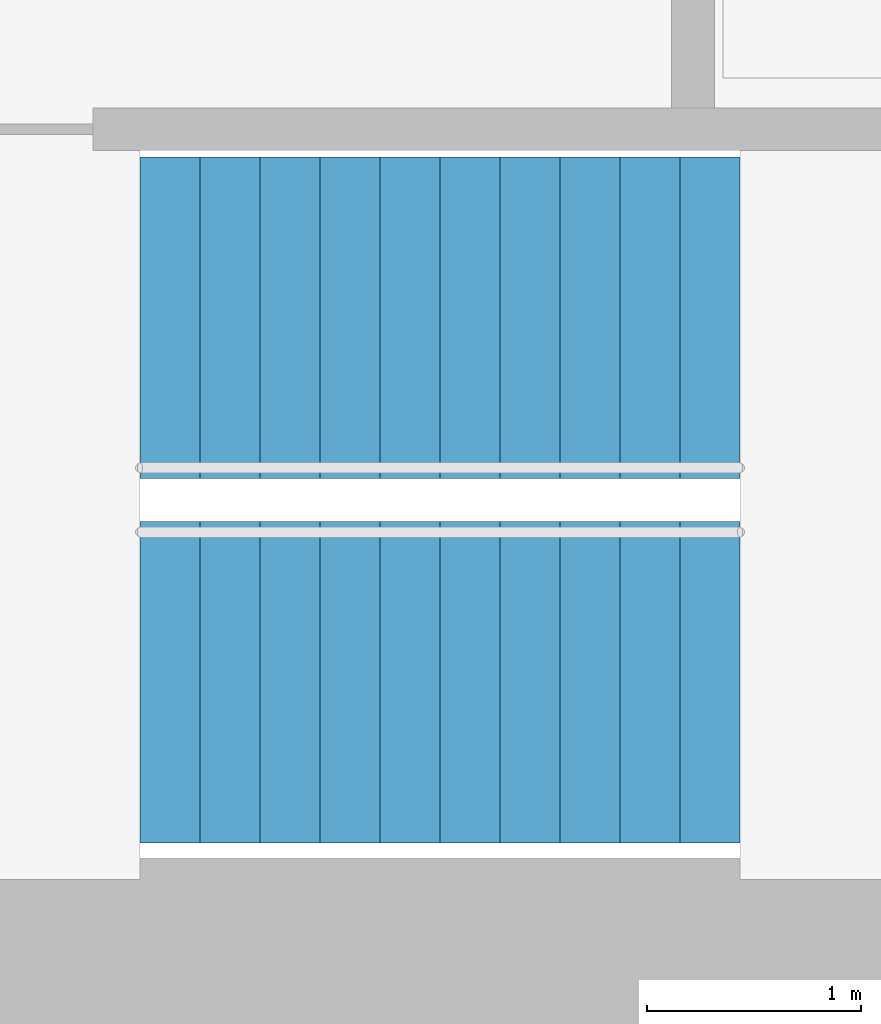
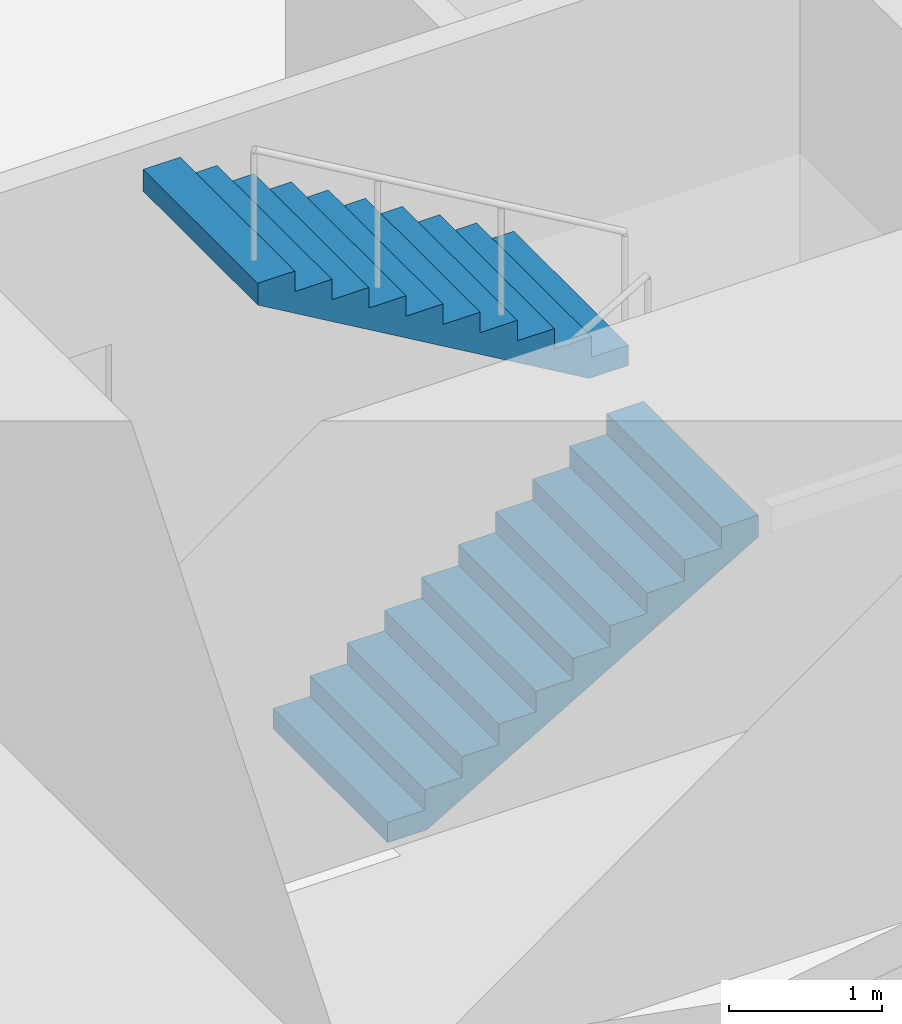
# One storey, part 13 of 15: 2 stair flights, 1 element without a shape of its own.
"""IFC4 building model written with IfcOpenShell, lengths in metres."""

from ifc_helpers import new_model, si_unit, direction, frame, origin, place, context, subcontext, project, spatial, triangles, material, type_object, element, aggregate, save


model = new_model("IFC4")

# Units and contexts
model_context = context("Model", 3, precision=1e-05, world=origin(), true_north=direction((0.0, 1.0)))
body_context = subcontext(model_context, "Body", "Model", "MODEL_VIEW")
ifc_project = project(units=[si_unit("LENGTHUNIT", "METRE"), si_unit("AREAUNIT", "SQUARE_METRE"), si_unit("VOLUMEUNIT", "CUBIC_METRE"), si_unit("PLANEANGLEUNIT", "RADIAN"), si_unit("MASSUNIT", "GRAM", prefix="KILO")], contexts=[model_context])

# Site, building, storey
site_placement = place(None, origin())
site = spatial("IfcSite", under=ifc_project, at=site_placement, CompositionType="ELEMENT")
building_placement = place(site_placement, origin())
building = spatial("IfcBuilding", under=site, at=building_placement, Name="Lantaw Convention Tower", CompositionType="ELEMENT")
storey_placement = place(building_placement, frame((0.0, 0.0, 51.39990234375)))
storey = spatial("IfcBuildingStorey", under=building, at=storey_placement, Name="L10", CompositionType="ELEMENT", Elevation=51.39990234375)

# Stair, stair flights
ifc_material = material(Name="Concrete C35/45", Category="concrete")
stair_type = type_object("IfcStairType", Name="Exit stair 1500 riser 163.64 in 2 flights", PredefinedType="HALF_TURN_STAIR", material=ifc_material)
stair_placement = place(storey_placement, origin())
stair = element("IfcStair", 1, at=stair_placement, inside=storey, type_object=stair_type, Name="Exit stair S1 L10", PredefinedType="HALF_TURN_STAIR")
stair_flight_type = type_object("IfcStairFlightType", Name="Stair flight 1500 riser 163.64", PredefinedType="STRAIGHT", material=ifc_material)
stair_flight_1_placement = place(storey_placement, frame((-10.580078125, -5.97998046875, 0.0), z_axis=(0.0, 0.0, 1.0), x_axis=(1.0, 0.0, 0.0)))
stair_flight_1 = element("IfcStairFlight", 2, at=stair_flight_1_placement, type_object=stair_flight_type, Name="S1 flight 1", NumberOfRisers=11, NumberOfTreads=10, PredefinedType="STRAIGHT", RiserHeight=0.163636364, TreadLength=0.28, context=body_context, shape_type="Tessellation", body=[
    triangles([(0.0, 0.75, 0.0), (0.0, 0.75, 0.163636364), (0.28, 0.75, 0.0), (0.28, 0.75, 0.163636364), (0.28, 0.75, 0.327272728), (0.2970904571225277, 0.75, 0.0), (0.2970904571225277, 0.75, 0.327272728), (0.56, 0.75, 0.1536484344906131), (0.56, 0.75, 0.327272728), (0.56, 0.75, 0.490909092), (0.8400000000000001, 0.75, 0.3172847984906131), (0.8400000000000001, 0.75, 0.490909092), (0.8400000000000001, 0.75, 0.654545456), (1.12, 0.75, 0.4809211624906131), (1.12, 0.75, 0.654545456), (1.12, 0.75, 0.8181818200000001), (1.4000000000000001, 0.75, 0.6445575264906132), (1.4000000000000001, 0.75, 0.8181818200000001), (1.4000000000000001, 0.75, 0.981818184), (1.6800000000000002, 0.75, 0.8081938904906131), (1.6800000000000002, 0.75, 0.981818184), (1.6800000000000002, 0.75, 1.145454548), (1.9600000000000002, 0.75, 0.9718302544906131), (1.9600000000000002, 0.75, 1.145454548), (1.9600000000000002, 0.75, 1.309090912), (2.24, 0.75, 1.135466618490613), (2.24, 0.75, 1.309090912), (2.24, 0.75, 1.472727276), (2.5200000000000005, 0.75, 1.2991029824906133), (2.5200000000000005, 0.75, 1.472727276), (2.5200000000000005, 0.75, 1.6363636400000001), (2.8000000000000003, 0.75, 1.462739346490613), (2.8000000000000003, 0.75, 1.6363636400000001), (0.0, -0.75, 0.0), (0.0, -0.75, 0.163636364), (0.28, -0.75, 0.0), (0.28, -0.75, 0.163636364), (0.28, -0.75, 0.327272728), (0.2970904571225277, -0.75, 0.0), (0.2970904571225277, -0.75, 0.327272728), (0.56, -0.75, 0.1536484344906131), (0.56, -0.75, 0.327272728), (0.56, -0.75, 0.490909092), (0.8400000000000001, -0.75, 0.3172847984906131), (0.8400000000000001, -0.75, 0.490909092), (0.8400000000000001, -0.75, 0.654545456), (1.12, -0.75, 0.4809211624906131), (1.12, -0.75, 0.654545456), (1.12, -0.75, 0.8181818200000001), (1.4000000000000001, -0.75, 0.6445575264906132), (1.4000000000000001, -0.75, 0.8181818200000001), (1.4000000000000001, -0.75, 0.981818184), (1.6800000000000002, -0.75, 0.8081938904906131), (1.6800000000000002, -0.75, 0.981818184), (1.6800000000000002, -0.75, 1.145454548), (1.9600000000000002, -0.75, 0.9718302544906131), (1.9600000000000002, -0.75, 1.145454548), (1.9600000000000002, -0.75, 1.309090912), (2.24, -0.75, 1.135466618490613), (2.24, -0.75, 1.309090912), (2.24, -0.75, 1.472727276), (2.5200000000000005, -0.75, 1.2991029824906133), (2.5200000000000005, -0.75, 1.472727276), (2.5200000000000005, -0.75, 1.6363636400000001), (2.8000000000000003, -0.75, 1.462739346490613), (2.8000000000000003, -0.75, 1.6363636400000001), (0.0, 0.15000000000000002, 0.163636364), (0.0, 0.15000000000000002, 0.0), (0.0, 0.0, 0.163636364), (0.0, 0.0, 0.0), (0.0, -0.15000000000000002, 0.163636364), (0.0, -0.15000000000000002, 0.0), (0.28, 0.15000000000000002, 0.327272728), (0.28, 0.15000000000000002, 0.163636364), (0.28, 0.0, 0.327272728), (0.28, 0.0, 0.163636364), (0.28, -0.15000000000000002, 0.327272728), (0.28, -0.15000000000000002, 0.163636364), (0.56, 0.15000000000000002, 0.490909092), (0.56, 0.15000000000000002, 0.327272728), (0.56, 0.0, 0.490909092), (0.56, 0.0, 0.327272728), (0.56, -0.15000000000000002, 0.490909092), (0.56, -0.15000000000000002, 0.327272728), (0.8400000000000001, 0.15000000000000002, 0.654545456), (0.8400000000000001, 0.15000000000000002, 0.490909092), (0.8400000000000001, 0.0, 0.654545456), (0.8400000000000001, 0.0, 0.490909092), (0.8400000000000001, -0.15000000000000002, 0.654545456), (0.8400000000000001, -0.15000000000000002, 0.490909092), (1.12, 0.15000000000000002, 0.8181818200000001), (1.12, 0.15000000000000002, 0.654545456), (1.12, 0.0, 0.8181818200000001), (1.12, 0.0, 0.654545456), (1.12, -0.15000000000000002, 0.8181818200000001), (1.12, -0.15000000000000002, 0.654545456), (1.4000000000000001, 0.15000000000000002, 0.981818184), (1.4000000000000001, 0.15000000000000002, 0.8181818200000001), (1.4000000000000001, 0.0, 0.981818184), (1.4000000000000001, 0.0, 0.8181818200000001), (1.4000000000000001, -0.15000000000000002, 0.981818184), (1.4000000000000001, -0.15000000000000002, 0.8181818200000001), (1.6800000000000002, 0.15000000000000002, 1.145454548), (1.6800000000000002, 0.15000000000000002, 0.981818184), (1.6800000000000002, 0.0, 1.145454548), (1.6800000000000002, 0.0, 0.981818184), (1.6800000000000002, -0.15000000000000002, 1.145454548), (1.6800000000000002, -0.15000000000000002, 0.981818184), (1.9600000000000002, 0.15000000000000002, 1.309090912), (1.9600000000000002, 0.15000000000000002, 1.145454548), (1.9600000000000002, 0.0, 1.309090912), (1.9600000000000002, 0.0, 1.145454548), (1.9600000000000002, -0.15000000000000002, 1.309090912), (1.9600000000000002, -0.15000000000000002, 1.145454548), (2.24, 0.15000000000000002, 1.472727276), (2.24, 0.15000000000000002, 1.309090912), (2.24, 0.0, 1.472727276), (2.24, 0.0, 1.309090912), (2.24, -0.15000000000000002, 1.472727276), (2.24, -0.15000000000000002, 1.309090912), (2.5200000000000005, 0.15000000000000002, 1.6363636400000001), (2.5200000000000005, 0.15000000000000002, 1.472727276), (2.5200000000000005, 0.0, 1.6363636400000001), (2.5200000000000005, 0.0, 1.472727276), (2.5200000000000005, -0.15000000000000002, 1.6363636400000001), (2.5200000000000005, -0.15000000000000002, 1.472727276), (0.2970904571225277, 0.15000000000000002, 0.327272728), (0.2970904571225277, 0.0, 0.327272728), (0.2970904571225277, -0.15000000000000002, 0.327272728), (2.8000000000000003, 0.15000000000000002, 1.6363636400000001), (2.8000000000000003, 0.0, 1.6363636400000001), (2.8000000000000003, -0.15000000000000002, 1.6363636400000001), (2.8000000000000003, 0.15000000000000002, 1.462739346490613), (2.8000000000000003, 0.0, 1.462739346490613), (2.8000000000000003, -0.15000000000000002, 1.462739346490613), (2.5200000000000005, 0.15000000000000002, 1.2991029824906133), (2.5200000000000005, 0.0, 1.2991029824906133), (2.5200000000000005, -0.15000000000000002, 1.2991029824906133), (2.24, 0.15000000000000002, 1.135466618490613), (2.24, 0.0, 1.135466618490613), (2.24, -0.15000000000000002, 1.135466618490613), (1.9600000000000002, 0.15000000000000002, 0.9718302544906131), (1.9600000000000002, 0.0, 0.9718302544906131), (1.9600000000000002, -0.15000000000000002, 0.9718302544906131), (1.6800000000000002, 0.15000000000000002, 0.8081938904906131), (1.6800000000000002, 0.0, 0.8081938904906131), (1.6800000000000002, -0.15000000000000002, 0.8081938904906131), (1.4000000000000001, 0.15000000000000002, 0.6445575264906132), (1.4000000000000001, 0.0, 0.6445575264906132), (1.4000000000000001, -0.15000000000000002, 0.6445575264906132), (1.12, 0.15000000000000002, 0.4809211624906131), (1.12, 0.0, 0.4809211624906131), (1.12, -0.15000000000000002, 0.4809211624906131), (0.8400000000000001, 0.15000000000000002, 0.3172847984906131), (0.8400000000000001, 0.0, 0.3172847984906131), (0.8400000000000001, -0.15000000000000002, 0.3172847984906131), (0.56, 0.15000000000000002, 0.1536484344906131), (0.56, 0.0, 0.1536484344906131), (0.56, -0.15000000000000002, 0.1536484344906131), (0.2970904571225277, 0.15000000000000002, 0.0), (0.2970904571225277, 0.0, 0.0), (0.2970904571225277, -0.15000000000000002, 0.0), (0.28, 0.15000000000000002, 0.0), (0.28, 0.0, 0.0), (0.28, -0.15000000000000002, 0.0)], [[1, 4, 3], [1, 2, 4], [3, 4, 6], [4, 7, 6], [4, 5, 7], [6, 9, 8], [6, 7, 9], [8, 9, 11], [9, 12, 11], [9, 10, 12], [11, 12, 14], [12, 15, 14], [12, 13, 15], [14, 15, 17], [15, 18, 17], [15, 16, 18], [17, 18, 20], [18, 21, 20], [18, 19, 21], [20, 21, 23], [21, 24, 23], [21, 22, 24], [23, 24, 26], [24, 27, 26], [24, 25, 27], [26, 27, 29], [27, 30, 29], [27, 28, 30], [29, 30, 32], [30, 33, 32], [30, 31, 33], [34, 36, 37], [34, 37, 35], [36, 39, 37], [37, 39, 40], [37, 40, 38], [39, 41, 42], [39, 42, 40], [41, 44, 42], [42, 44, 45], [42, 45, 43], [44, 47, 45], [45, 47, 48], [45, 48, 46], [47, 50, 48], [48, 50, 51], [48, 51, 49], [50, 53, 51], [51, 53, 54], [51, 54, 52], [53, 56, 54], [54, 56, 57], [54, 57, 55], [56, 59, 57], [57, 59, 60], [57, 60, 58], [59, 62, 60], [60, 62, 63], [60, 63, 61], [62, 65, 63], [63, 65, 66], [63, 66, 64], [1, 67, 2], [1, 68, 67], [68, 69, 67], [68, 70, 69], [70, 71, 69], [70, 72, 71], [72, 35, 71], [72, 34, 35], [4, 73, 5], [4, 74, 73], [74, 75, 73], [74, 76, 75], [76, 77, 75], [76, 78, 77], [78, 38, 77], [78, 37, 38], [9, 79, 10], [9, 80, 79], [80, 81, 79], [80, 82, 81], [82, 83, 81], [82, 84, 83], [84, 43, 83], [84, 42, 43], [12, 85, 13], [12, 86, 85], [86, 87, 85], [86, 88, 87], [88, 89, 87], [88, 90, 89], [90, 46, 89], [90, 45, 46], [15, 91, 16], [15, 92, 91], [92, 93, 91], [92, 94, 93], [94, 95, 93], [94, 96, 95], [96, 49, 95], [96, 48, 49], [18, 97, 19], [18, 98, 97], [98, 99, 97], [98, 100, 99], [100, 101, 99], [100, 102, 101], [102, 52, 101], [102, 51, 52], [21, 103, 22], [21, 104, 103], [104, 105, 103], [104, 106, 105], [106, 107, 105], [106, 108, 107], [108, 55, 107], [108, 54, 55], [24, 109, 25], [24, 110, 109], [110, 111, 109], [110, 112, 111], [112, 113, 111], [112, 114, 113], [114, 58, 113], [114, 57, 58], [27, 115, 28], [27, 116, 115], [116, 117, 115], [116, 118, 117], [118, 119, 117], [118, 120, 119], [120, 61, 119], [120, 60, 61], [30, 121, 31], [30, 122, 121], [122, 123, 121], [122, 124, 123], [124, 125, 123], [124, 126, 125], [126, 64, 125], [126, 63, 64], [2, 74, 4], [2, 67, 74], [67, 76, 74], [67, 69, 76], [69, 78, 76], [69, 71, 78], [71, 37, 78], [71, 35, 37], [5, 127, 7], [5, 73, 127], [73, 128, 127], [73, 75, 128], [75, 129, 128], [75, 77, 129], [77, 40, 129], [77, 38, 40], [7, 80, 9], [7, 127, 80], [127, 82, 80], [127, 128, 82], [128, 84, 82], [128, 129, 84], [129, 42, 84], [129, 40, 42], [10, 86, 12], [10, 79, 86], [79, 88, 86], [79, 81, 88], [81, 90, 88], [81, 83, 90], [83, 45, 90], [83, 43, 45], [13, 92, 15], [13, 85, 92], [85, 94, 92], [85, 87, 94], [87, 96, 94], [87, 89, 96], [89, 48, 96], [89, 46, 48], [16, 98, 18], [16, 91, 98], [91, 100, 98], [91, 93, 100], [93, 102, 100], [93, 95, 102], [95, 51, 102], [95, 49, 51], [19, 104, 21], [19, 97, 104], [97, 106, 104], [97, 99, 106], [99, 108, 106], [99, 101, 108], [101, 54, 108], [101, 52, 54], [22, 110, 24], [22, 103, 110], [103, 112, 110], [103, 105, 112], [105, 114, 112], [105, 107, 114], [107, 57, 114], [107, 55, 57], [25, 116, 27], [25, 109, 116], [109, 118, 116], [109, 111, 118], [111, 120, 118], [111, 113, 120], [113, 60, 120], [113, 58, 60], [28, 122, 30], [28, 115, 122], [115, 124, 122], [115, 117, 124], [117, 126, 124], [117, 119, 126], [119, 63, 126], [119, 61, 63], [31, 130, 33], [31, 121, 130], [121, 131, 130], [121, 123, 131], [123, 132, 131], [123, 125, 132], [125, 66, 132], [125, 64, 66], [33, 133, 32], [33, 130, 133], [130, 134, 133], [130, 131, 134], [131, 135, 134], [131, 132, 135], [132, 65, 135], [132, 66, 65], [32, 136, 29], [32, 133, 136], [133, 137, 136], [133, 134, 137], [134, 138, 137], [134, 135, 138], [135, 62, 138], [135, 65, 62], [29, 139, 26], [29, 136, 139], [136, 140, 139], [136, 137, 140], [137, 141, 140], [137, 138, 141], [138, 59, 141], [138, 62, 59], [26, 142, 23], [26, 139, 142], [139, 143, 142], [139, 140, 143], [140, 144, 143], [140, 141, 144], [141, 56, 144], [141, 59, 56], [23, 145, 20], [23, 142, 145], [142, 146, 145], [142, 143, 146], [143, 147, 146], [143, 144, 147], [144, 53, 147], [144, 56, 53], [20, 148, 17], [20, 145, 148], [145, 149, 148], [145, 146, 149], [146, 150, 149], [146, 147, 150], [147, 50, 150], [147, 53, 50], [17, 151, 14], [17, 148, 151], [148, 152, 151], [148, 149, 152], [149, 153, 152], [149, 150, 153], [150, 47, 153], [150, 50, 47], [14, 154, 11], [14, 151, 154], [151, 155, 154], [151, 152, 155], [152, 156, 155], [152, 153, 156], [153, 44, 156], [153, 47, 44], [11, 157, 8], [11, 154, 157], [154, 158, 157], [154, 155, 158], [155, 159, 158], [155, 156, 159], [156, 41, 159], [156, 44, 41], [8, 160, 6], [8, 157, 160], [157, 161, 160], [157, 158, 161], [158, 162, 161], [158, 159, 162], [159, 39, 162], [159, 41, 39], [6, 163, 3], [6, 160, 163], [160, 164, 163], [160, 161, 164], [161, 165, 164], [161, 162, 165], [162, 36, 165], [162, 39, 36], [3, 68, 1], [3, 163, 68], [163, 70, 68], [163, 164, 70], [164, 72, 70], [164, 165, 72], [165, 34, 72], [165, 36, 34]], closed=True),
])
stair_flight_2_placement = place(storey_placement, frame((-7.780029296875, -4.280029296875, 1.800048828125), z_axis=(0.0, 0.0, 1.0), x_axis=(-1.0, 0.0, 0.0)))
stair_flight_2 = element("IfcStairFlight", 3, at=stair_flight_2_placement, type_object=stair_flight_type, Name="S1 flight 2", NumberOfRisers=11, NumberOfTreads=10, PredefinedType="STRAIGHT", RiserHeight=0.163636364, TreadLength=0.28, context=body_context, shape_type="Tessellation", body=[
    triangles([(0.0, 0.75, 0.0), (0.0, 0.75, 0.163636364), (0.28, 0.75, 0.0), (0.28, 0.75, 0.163636364), (0.28, 0.75, 0.327272728), (0.2970904571225277, 0.75, 0.0), (0.2970904571225277, 0.75, 0.327272728), (0.56, 0.75, 0.1536484344906131), (0.56, 0.75, 0.327272728), (0.56, 0.75, 0.490909092), (0.8400000000000001, 0.75, 0.3172847984906131), (0.8400000000000001, 0.75, 0.490909092), (0.8400000000000001, 0.75, 0.654545456), (1.12, 0.75, 0.4809211624906131), (1.12, 0.75, 0.654545456), (1.12, 0.75, 0.8181818200000001), (1.4000000000000001, 0.75, 0.6445575264906132), (1.4000000000000001, 0.75, 0.8181818200000001), (1.4000000000000001, 0.75, 0.981818184), (1.6800000000000002, 0.75, 0.8081938904906131), (1.6800000000000002, 0.75, 0.981818184), (1.6800000000000002, 0.75, 1.145454548), (1.9600000000000002, 0.75, 0.9718302544906131), (1.9600000000000002, 0.75, 1.145454548), (1.9600000000000002, 0.75, 1.309090912), (2.24, 0.75, 1.135466618490613), (2.24, 0.75, 1.309090912), (2.24, 0.75, 1.472727276), (2.5200000000000005, 0.75, 1.2991029824906133), (2.5200000000000005, 0.75, 1.472727276), (2.5200000000000005, 0.75, 1.6363636400000001), (2.8000000000000003, 0.75, 1.462739346490613), (2.8000000000000003, 0.75, 1.6363636400000001), (0.0, -0.75, 0.0), (0.0, -0.75, 0.163636364), (0.28, -0.75, 0.0), (0.28, -0.75, 0.163636364), (0.28, -0.75, 0.327272728), (0.2970904571225277, -0.75, 0.0), (0.2970904571225277, -0.75, 0.327272728), (0.56, -0.75, 0.1536484344906131), (0.56, -0.75, 0.327272728), (0.56, -0.75, 0.490909092), (0.8400000000000001, -0.75, 0.3172847984906131), (0.8400000000000001, -0.75, 0.490909092), (0.8400000000000001, -0.75, 0.654545456), (1.12, -0.75, 0.4809211624906131), (1.12, -0.75, 0.654545456), (1.12, -0.75, 0.8181818200000001), (1.4000000000000001, -0.75, 0.6445575264906132), (1.4000000000000001, -0.75, 0.8181818200000001), (1.4000000000000001, -0.75, 0.981818184), (1.6800000000000002, -0.75, 0.8081938904906131), (1.6800000000000002, -0.75, 0.981818184), (1.6800000000000002, -0.75, 1.145454548), (1.9600000000000002, -0.75, 0.9718302544906131), (1.9600000000000002, -0.75, 1.145454548), (1.9600000000000002, -0.75, 1.309090912), (2.24, -0.75, 1.135466618490613), (2.24, -0.75, 1.309090912), (2.24, -0.75, 1.472727276), (2.5200000000000005, -0.75, 1.2991029824906133), (2.5200000000000005, -0.75, 1.472727276), (2.5200000000000005, -0.75, 1.6363636400000001), (2.8000000000000003, -0.75, 1.462739346490613), (2.8000000000000003, -0.75, 1.6363636400000001), (0.0, 0.15000000000000002, 0.163636364), (0.0, 0.15000000000000002, 0.0), (0.0, 0.0, 0.163636364), (0.0, 0.0, 0.0), (0.0, -0.15000000000000002, 0.163636364), (0.0, -0.15000000000000002, 0.0), (0.28, 0.15000000000000002, 0.327272728), (0.28, 0.15000000000000002, 0.163636364), (0.28, 0.0, 0.327272728), (0.28, 0.0, 0.163636364), (0.28, -0.15000000000000002, 0.327272728), (0.28, -0.15000000000000002, 0.163636364), (0.56, 0.15000000000000002, 0.490909092), (0.56, 0.15000000000000002, 0.327272728), (0.56, 0.0, 0.490909092), (0.56, 0.0, 0.327272728), (0.56, -0.15000000000000002, 0.490909092), (0.56, -0.15000000000000002, 0.327272728), (0.8400000000000001, 0.15000000000000002, 0.654545456), (0.8400000000000001, 0.15000000000000002, 0.490909092), (0.8400000000000001, 0.0, 0.654545456), (0.8400000000000001, 0.0, 0.490909092), (0.8400000000000001, -0.15000000000000002, 0.654545456), (0.8400000000000001, -0.15000000000000002, 0.490909092), (1.12, 0.15000000000000002, 0.8181818200000001), (1.12, 0.15000000000000002, 0.654545456), (1.12, 0.0, 0.8181818200000001), (1.12, 0.0, 0.654545456), (1.12, -0.15000000000000002, 0.8181818200000001), (1.12, -0.15000000000000002, 0.654545456), (1.4000000000000001, 0.15000000000000002, 0.981818184), (1.4000000000000001, 0.15000000000000002, 0.8181818200000001), (1.4000000000000001, 0.0, 0.981818184), (1.4000000000000001, 0.0, 0.8181818200000001), (1.4000000000000001, -0.15000000000000002, 0.981818184), (1.4000000000000001, -0.15000000000000002, 0.8181818200000001), (1.6800000000000002, 0.15000000000000002, 1.145454548), (1.6800000000000002, 0.15000000000000002, 0.981818184), (1.6800000000000002, 0.0, 1.145454548), (1.6800000000000002, 0.0, 0.981818184), (1.6800000000000002, -0.15000000000000002, 1.145454548), (1.6800000000000002, -0.15000000000000002, 0.981818184), (1.9600000000000002, 0.15000000000000002, 1.309090912), (1.9600000000000002, 0.15000000000000002, 1.145454548), (1.9600000000000002, 0.0, 1.309090912), (1.9600000000000002, 0.0, 1.145454548), (1.9600000000000002, -0.15000000000000002, 1.309090912), (1.9600000000000002, -0.15000000000000002, 1.145454548), (2.24, 0.15000000000000002, 1.472727276), (2.24, 0.15000000000000002, 1.309090912), (2.24, 0.0, 1.472727276), (2.24, 0.0, 1.309090912), (2.24, -0.15000000000000002, 1.472727276), (2.24, -0.15000000000000002, 1.309090912), (2.5200000000000005, 0.15000000000000002, 1.6363636400000001), (2.5200000000000005, 0.15000000000000002, 1.472727276), (2.5200000000000005, 0.0, 1.6363636400000001), (2.5200000000000005, 0.0, 1.472727276), (2.5200000000000005, -0.15000000000000002, 1.6363636400000001), (2.5200000000000005, -0.15000000000000002, 1.472727276), (0.2970904571225277, 0.15000000000000002, 0.327272728), (0.2970904571225277, 0.0, 0.327272728), (0.2970904571225277, -0.15000000000000002, 0.327272728), (2.8000000000000003, 0.15000000000000002, 1.6363636400000001), (2.8000000000000003, 0.0, 1.6363636400000001), (2.8000000000000003, -0.15000000000000002, 1.6363636400000001), (2.8000000000000003, 0.15000000000000002, 1.462739346490613), (2.8000000000000003, 0.0, 1.462739346490613), (2.8000000000000003, -0.15000000000000002, 1.462739346490613), (2.5200000000000005, 0.15000000000000002, 1.2991029824906133), (2.5200000000000005, 0.0, 1.2991029824906133), (2.5200000000000005, -0.15000000000000002, 1.2991029824906133), (2.24, 0.15000000000000002, 1.135466618490613), (2.24, 0.0, 1.135466618490613), (2.24, -0.15000000000000002, 1.135466618490613), (1.9600000000000002, 0.15000000000000002, 0.9718302544906131), (1.9600000000000002, 0.0, 0.9718302544906131), (1.9600000000000002, -0.15000000000000002, 0.9718302544906131), (1.6800000000000002, 0.15000000000000002, 0.8081938904906131), (1.6800000000000002, 0.0, 0.8081938904906131), (1.6800000000000002, -0.15000000000000002, 0.8081938904906131), (1.4000000000000001, 0.15000000000000002, 0.6445575264906132), (1.4000000000000001, 0.0, 0.6445575264906132), (1.4000000000000001, -0.15000000000000002, 0.6445575264906132), (1.12, 0.15000000000000002, 0.4809211624906131), (1.12, 0.0, 0.4809211624906131), (1.12, -0.15000000000000002, 0.4809211624906131), (0.8400000000000001, 0.15000000000000002, 0.3172847984906131), (0.8400000000000001, 0.0, 0.3172847984906131), (0.8400000000000001, -0.15000000000000002, 0.3172847984906131), (0.56, 0.15000000000000002, 0.1536484344906131), (0.56, 0.0, 0.1536484344906131), (0.56, -0.15000000000000002, 0.1536484344906131), (0.2970904571225277, 0.15000000000000002, 0.0), (0.2970904571225277, 0.0, 0.0), (0.2970904571225277, -0.15000000000000002, 0.0), (0.28, 0.15000000000000002, 0.0), (0.28, 0.0, 0.0), (0.28, -0.15000000000000002, 0.0)], [[1, 4, 3], [1, 2, 4], [3, 4, 6], [4, 7, 6], [4, 5, 7], [6, 9, 8], [6, 7, 9], [8, 9, 11], [9, 12, 11], [9, 10, 12], [11, 12, 14], [12, 15, 14], [12, 13, 15], [14, 15, 17], [15, 18, 17], [15, 16, 18], [17, 18, 20], [18, 21, 20], [18, 19, 21], [20, 21, 23], [21, 24, 23], [21, 22, 24], [23, 24, 26], [24, 27, 26], [24, 25, 27], [26, 27, 29], [27, 30, 29], [27, 28, 30], [29, 30, 32], [30, 33, 32], [30, 31, 33], [34, 36, 37], [34, 37, 35], [36, 39, 37], [37, 39, 40], [37, 40, 38], [39, 41, 42], [39, 42, 40], [41, 44, 42], [42, 44, 45], [42, 45, 43], [44, 47, 45], [45, 47, 48], [45, 48, 46], [47, 50, 48], [48, 50, 51], [48, 51, 49], [50, 53, 51], [51, 53, 54], [51, 54, 52], [53, 56, 54], [54, 56, 57], [54, 57, 55], [56, 59, 57], [57, 59, 60], [57, 60, 58], [59, 62, 60], [60, 62, 63], [60, 63, 61], [62, 65, 63], [63, 65, 66], [63, 66, 64], [1, 67, 2], [1, 68, 67], [68, 69, 67], [68, 70, 69], [70, 71, 69], [70, 72, 71], [72, 35, 71], [72, 34, 35], [4, 73, 5], [4, 74, 73], [74, 75, 73], [74, 76, 75], [76, 77, 75], [76, 78, 77], [78, 38, 77], [78, 37, 38], [9, 79, 10], [9, 80, 79], [80, 81, 79], [80, 82, 81], [82, 83, 81], [82, 84, 83], [84, 43, 83], [84, 42, 43], [12, 85, 13], [12, 86, 85], [86, 87, 85], [86, 88, 87], [88, 89, 87], [88, 90, 89], [90, 46, 89], [90, 45, 46], [15, 91, 16], [15, 92, 91], [92, 93, 91], [92, 94, 93], [94, 95, 93], [94, 96, 95], [96, 49, 95], [96, 48, 49], [18, 97, 19], [18, 98, 97], [98, 99, 97], [98, 100, 99], [100, 101, 99], [100, 102, 101], [102, 52, 101], [102, 51, 52], [21, 103, 22], [21, 104, 103], [104, 105, 103], [104, 106, 105], [106, 107, 105], [106, 108, 107], [108, 55, 107], [108, 54, 55], [24, 109, 25], [24, 110, 109], [110, 111, 109], [110, 112, 111], [112, 113, 111], [112, 114, 113], [114, 58, 113], [114, 57, 58], [27, 115, 28], [27, 116, 115], [116, 117, 115], [116, 118, 117], [118, 119, 117], [118, 120, 119], [120, 61, 119], [120, 60, 61], [30, 121, 31], [30, 122, 121], [122, 123, 121], [122, 124, 123], [124, 125, 123], [124, 126, 125], [126, 64, 125], [126, 63, 64], [2, 74, 4], [2, 67, 74], [67, 76, 74], [67, 69, 76], [69, 78, 76], [69, 71, 78], [71, 37, 78], [71, 35, 37], [5, 127, 7], [5, 73, 127], [73, 128, 127], [73, 75, 128], [75, 129, 128], [75, 77, 129], [77, 40, 129], [77, 38, 40], [7, 80, 9], [7, 127, 80], [127, 82, 80], [127, 128, 82], [128, 84, 82], [128, 129, 84], [129, 42, 84], [129, 40, 42], [10, 86, 12], [10, 79, 86], [79, 88, 86], [79, 81, 88], [81, 90, 88], [81, 83, 90], [83, 45, 90], [83, 43, 45], [13, 92, 15], [13, 85, 92], [85, 94, 92], [85, 87, 94], [87, 96, 94], [87, 89, 96], [89, 48, 96], [89, 46, 48], [16, 98, 18], [16, 91, 98], [91, 100, 98], [91, 93, 100], [93, 102, 100], [93, 95, 102], [95, 51, 102], [95, 49, 51], [19, 104, 21], [19, 97, 104], [97, 106, 104], [97, 99, 106], [99, 108, 106], [99, 101, 108], [101, 54, 108], [101, 52, 54], [22, 110, 24], [22, 103, 110], [103, 112, 110], [103, 105, 112], [105, 114, 112], [105, 107, 114], [107, 57, 114], [107, 55, 57], [25, 116, 27], [25, 109, 116], [109, 118, 116], [109, 111, 118], [111, 120, 118], [111, 113, 120], [113, 60, 120], [113, 58, 60], [28, 122, 30], [28, 115, 122], [115, 124, 122], [115, 117, 124], [117, 126, 124], [117, 119, 126], [119, 63, 126], [119, 61, 63], [31, 130, 33], [31, 121, 130], [121, 131, 130], [121, 123, 131], [123, 132, 131], [123, 125, 132], [125, 66, 132], [125, 64, 66], [33, 133, 32], [33, 130, 133], [130, 134, 133], [130, 131, 134], [131, 135, 134], [131, 132, 135], [132, 65, 135], [132, 66, 65], [32, 136, 29], [32, 133, 136], [133, 137, 136], [133, 134, 137], [134, 138, 137], [134, 135, 138], [135, 62, 138], [135, 65, 62], [29, 139, 26], [29, 136, 139], [136, 140, 139], [136, 137, 140], [137, 141, 140], [137, 138, 141], [138, 59, 141], [138, 62, 59], [26, 142, 23], [26, 139, 142], [139, 143, 142], [139, 140, 143], [140, 144, 143], [140, 141, 144], [141, 56, 144], [141, 59, 56], [23, 145, 20], [23, 142, 145], [142, 146, 145], [142, 143, 146], [143, 147, 146], [143, 144, 147], [144, 53, 147], [144, 56, 53], [20, 148, 17], [20, 145, 148], [145, 149, 148], [145, 146, 149], [146, 150, 149], [146, 147, 150], [147, 50, 150], [147, 53, 50], [17, 151, 14], [17, 148, 151], [148, 152, 151], [148, 149, 152], [149, 153, 152], [149, 150, 153], [150, 47, 153], [150, 50, 47], [14, 154, 11], [14, 151, 154], [151, 155, 154], [151, 152, 155], [152, 156, 155], [152, 153, 156], [153, 44, 156], [153, 47, 44], [11, 157, 8], [11, 154, 157], [154, 158, 157], [154, 155, 158], [155, 159, 158], [155, 156, 159], [156, 41, 159], [156, 44, 41], [8, 160, 6], [8, 157, 160], [157, 161, 160], [157, 158, 161], [158, 162, 161], [158, 159, 162], [159, 39, 162], [159, 41, 39], [6, 163, 3], [6, 160, 163], [160, 164, 163], [160, 161, 164], [161, 165, 164], [161, 162, 165], [162, 36, 165], [162, 39, 36], [3, 68, 1], [3, 163, 68], [163, 70, 68], [163, 164, 70], [164, 72, 70], [164, 165, 72], [165, 34, 72], [165, 36, 34]], closed=True),
])
aggregate(stair, [stair_flight_1, stair_flight_2])

save(model, "model.ifc")
